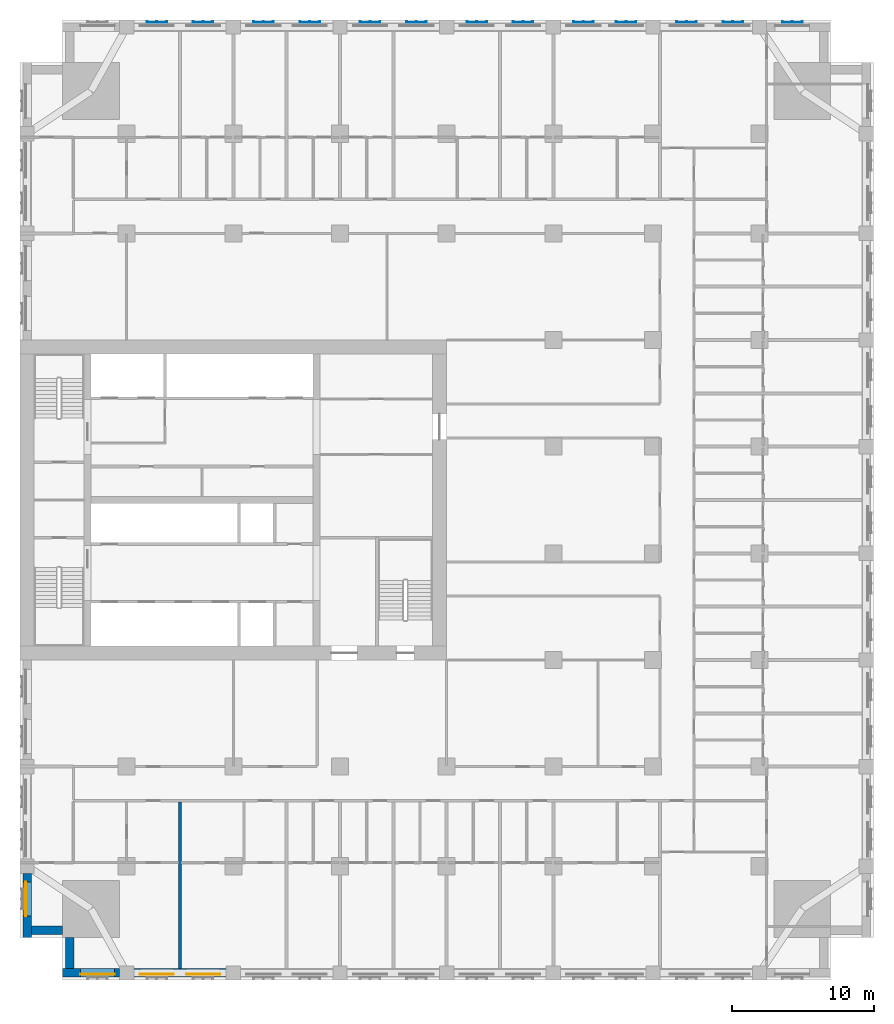
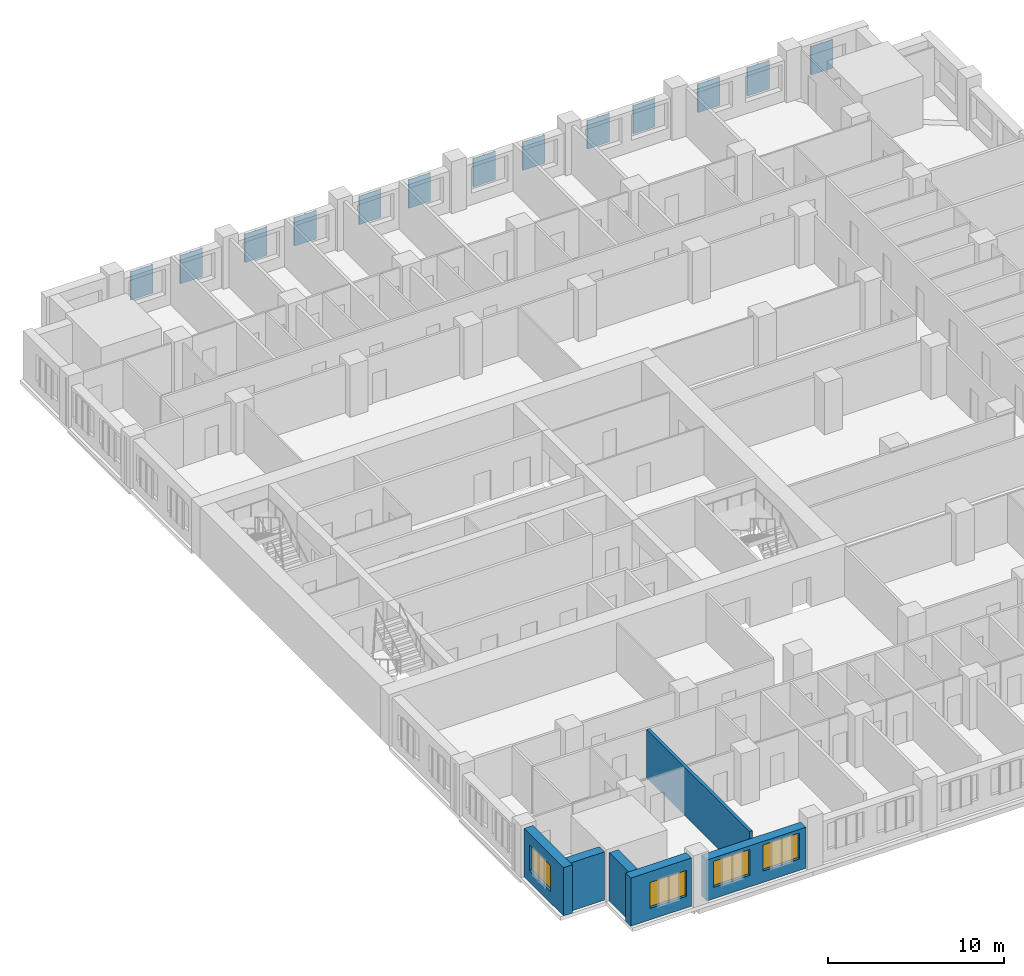
# One storey, part 3 of 15: 13 plates, 6 walls, 4 windows, 4 openings.
"""IFC4 building model written with IfcOpenShell, lengths in metres."""

from ifc_helpers import new_model, si_unit, direction, frame, frame_2d, origin, place, context, subcontext, project, spatial, polyline, rectangle, outline, extrude, material, layer, layer_set, type_object, element, fill, save


model = new_model("IFC4")

# Units and contexts
model_context = context("Model", 3, precision=1e-05, world=origin(), true_north=direction((0.0, 1.0)))
body_context = subcontext(model_context, "Body", "Model", "MODEL_VIEW")
ifc_project = project(units=[si_unit("LENGTHUNIT", "METRE"), si_unit("AREAUNIT", "SQUARE_METRE"), si_unit("VOLUMEUNIT", "CUBIC_METRE"), si_unit("PLANEANGLEUNIT", "RADIAN"), si_unit("MASSUNIT", "GRAM", prefix="KILO")], contexts=[model_context])

# Site, building, storey
site_placement = place(None, origin())
site = spatial("IfcSite", under=ifc_project, at=site_placement, CompositionType="ELEMENT")
building_placement = place(site_placement, origin())
building = spatial("IfcBuilding", under=site, at=building_placement, Name="Tamorin Gate", CompositionType="ELEMENT")
storey_placement = place(building_placement, frame((0.0, 0.0, 48.39990234375)))
storey = spatial("IfcBuildingStorey", under=building, at=storey_placement, Name="L10", CompositionType="ELEMENT", Elevation=48.39990234375)

# Plates
ifc_material_1 = material(Name="Perforated pale aluminium sheet", Category="aluminium")
ifc_layer_1 = layer(ifc_material_1, 0.0400390625)
ifc_layer_set_1 = layer_set([ifc_layer_1], Name="Pale metal solar screen 1440")
plate_type = type_object("IfcPlateType", Name="Pale metal solar screen 1440", PredefinedType="SHEET", material=ifc_layer_set_1)
plate_1_placement = place(storey_placement, frame((0.0, 0.0, 0.710205078125)))
element("IfcPlate", 1, at=plate_1_placement, inside=storey, type_object=plate_type, Name="Perforated solar screen", PredefinedType="SHEET", context=body_context, shape_type="SweptSolid", body=[
    extrude(outline(polyline([(85.02001953125, 104.840087890625), (85.02001953125, 104.800048828125), (84.9599609375, 104.800048828125), (84.330078125, 104.800048828125), (84.27001953125, 104.800048828125), (83.639892578125, 104.800048828125), (83.580078125, 104.800048828125), (83.580078125, 104.840087890625), (83.580078125, 104.89990234375), (83.639892578125, 104.89990234375), (83.639892578125, 104.840087890625), (84.27001953125, 104.840087890625), (84.27001953125, 104.89990234375), (84.330078125, 104.89990234375), (84.330078125, 104.840087890625), (84.9599609375, 104.840087890625), (84.9599609375, 104.89990234375), (85.02001953125, 104.89990234375), (85.02001953125, 104.840087890625)])), origin(), (0.0, 0.0, 1.0), 1.97998046875),
])
plate_2_placement = place(storey_placement, frame((0.0, 0.0, 0.710205078125)))
element("IfcPlate", 2, at=plate_2_placement, inside=storey, type_object=plate_type, Name="Perforated solar screen", PredefinedType="SHEET", context=body_context, shape_type="SweptSolid", body=[
    extrude(outline(polyline([(77.594970703125, 104.840087890625), (77.594970703125, 104.800048828125), (77.534912109375, 104.800048828125), (76.905029296875, 104.800048828125), (76.844970703125, 104.800048828125), (76.215087890625, 104.800048828125), (76.155029296875, 104.800048828125), (76.155029296875, 104.840087890625), (76.155029296875, 104.89990234375), (76.215087890625, 104.89990234375), (76.215087890625, 104.840087890625), (76.844970703125, 104.840087890625), (76.844970703125, 104.89990234375), (76.905029296875, 104.89990234375), (76.905029296875, 104.840087890625), (77.534912109375, 104.840087890625), (77.534912109375, 104.89990234375), (77.594970703125, 104.89990234375), (77.594970703125, 104.840087890625)])), origin(), (0.0, 0.0, 1.0), 1.97998046875),
])
plate_3_placement = place(storey_placement, frame((0.0, 0.0, 0.710205078125)))
element("IfcPlate", 3, at=plate_3_placement, inside=storey, type_object=plate_type, Name="Perforated solar screen", PredefinedType="SHEET", context=body_context, shape_type="SweptSolid", body=[
    extrude(outline(polyline([(80.844970703125, 104.840087890625), (80.844970703125, 104.800048828125), (80.784912109375, 104.800048828125), (80.155029296875, 104.800048828125), (80.094970703125, 104.800048828125), (79.465087890625, 104.800048828125), (79.405029296875, 104.800048828125), (79.405029296875, 104.800048828125), (79.405029296875, 104.840087890625), (79.405029296875, 104.840087890625), (79.405029296875, 104.89990234375), (79.465087890625, 104.89990234375), (79.465087890625, 104.840087890625), (80.094970703125, 104.840087890625), (80.094970703125, 104.89990234375), (80.155029296875, 104.89990234375), (80.155029296875, 104.840087890625), (80.784912109375, 104.840087890625), (80.784912109375, 104.89990234375), (80.844970703125, 104.89990234375), (80.844970703125, 104.840087890625)])), origin(), (0.0, 0.0, 1.0), 1.97998046875),
])
plate_4_placement = place(storey_placement, frame((0.0, 0.0, 0.710205078125)))
element("IfcPlate", 4, at=plate_4_placement, inside=storey, type_object=plate_type, Name="Perforated solar screen", PredefinedType="SHEET", context=body_context, shape_type="SweptSolid", body=[
    extrude(outline(polyline([(70.344970703125, 104.840087890625), (70.344970703125, 104.800048828125), (70.284912109375, 104.800048828125), (69.655029296875, 104.800048828125), (69.594970703125, 104.800048828125), (68.965087890625, 104.800048828125), (68.905029296875, 104.800048828125), (68.905029296875, 104.840087890625), (68.905029296875, 104.89990234375), (68.965087890625, 104.89990234375), (68.965087890625, 104.840087890625), (69.594970703125, 104.840087890625), (69.594970703125, 104.89990234375), (69.655029296875, 104.89990234375), (69.655029296875, 104.840087890625), (70.284912109375, 104.840087890625), (70.284912109375, 104.89990234375), (70.344970703125, 104.89990234375), (70.344970703125, 104.840087890625)])), origin(), (0.0, 0.0, 1.0), 1.97998046875),
])
plate_5_placement = place(storey_placement, frame((0.0, 0.0, 0.710205078125)))
element("IfcPlate", 5, at=plate_5_placement, inside=storey, type_object=plate_type, Name="Perforated solar screen", PredefinedType="SHEET", context=body_context, shape_type="SweptSolid", body=[
    extrude(outline(polyline([(73.344970703125, 104.840087890625), (73.344970703125, 104.800048828125), (73.284912109375, 104.800048828125), (72.655029296875, 104.800048828125), (72.594970703125, 104.800048828125), (71.965087890625, 104.800048828125), (71.905029296875, 104.800048828125), (71.905029296875, 104.840087890625), (71.905029296875, 104.89990234375), (71.965087890625, 104.89990234375), (71.965087890625, 104.840087890625), (72.594970703125, 104.840087890625), (72.594970703125, 104.89990234375), (72.655029296875, 104.89990234375), (72.655029296875, 104.840087890625), (73.284912109375, 104.840087890625), (73.284912109375, 104.89990234375), (73.344970703125, 104.89990234375), (73.344970703125, 104.840087890625)])), origin(), (0.0, 0.0, 1.0), 1.97998046875),
])
plate_6_placement = place(storey_placement, frame((0.0, 0.0, 0.710205078125)))
element("IfcPlate", 6, at=plate_6_placement, inside=storey, type_object=plate_type, Name="Perforated solar screen", PredefinedType="SHEET", context=body_context, shape_type="SweptSolid", body=[
    extrude(outline(polyline([(62.844970703125, 104.840087890625), (62.844970703125, 104.800048828125), (62.784912109375, 104.800048828125), (62.155029296875, 104.800048828125), (62.094970703125, 104.800048828125), (61.465087890625, 104.800048828125), (61.405029296875, 104.800048828125), (61.405029296875, 104.840087890625), (61.405029296875, 104.89990234375), (61.465087890625, 104.89990234375), (61.465087890625, 104.840087890625), (62.094970703125, 104.840087890625), (62.094970703125, 104.89990234375), (62.155029296875, 104.89990234375), (62.155029296875, 104.840087890625), (62.784912109375, 104.840087890625), (62.784912109375, 104.89990234375), (62.844970703125, 104.89990234375), (62.844970703125, 104.840087890625)])), origin(), (0.0, 0.0, 1.0), 1.97998046875),
])
plate_7_placement = place(storey_placement, frame((0.0, 0.0, 0.710205078125)))
element("IfcPlate", 7, at=plate_7_placement, inside=storey, type_object=plate_type, Name="Perforated solar screen", PredefinedType="SHEET", context=body_context, shape_type="SweptSolid", body=[
    extrude(outline(polyline([(66.094970703125, 104.840087890625), (66.094970703125, 104.800048828125), (66.034912109375, 104.800048828125), (65.405029296875, 104.800048828125), (65.344970703125, 104.800048828125), (64.715087890625, 104.800048828125), (64.655029296875, 104.800048828125), (64.655029296875, 104.840087890625), (64.655029296875, 104.89990234375), (64.715087890625, 104.89990234375), (64.715087890625, 104.840087890625), (65.344970703125, 104.840087890625), (65.344970703125, 104.89990234375), (65.405029296875, 104.89990234375), (65.405029296875, 104.840087890625), (66.034912109375, 104.840087890625), (66.034912109375, 104.89990234375), (66.094970703125, 104.89990234375), (66.094970703125, 104.840087890625)])), origin(), (0.0, 0.0, 1.0), 1.97998046875),
])
plate_8_placement = place(storey_placement, frame((0.0, 0.0, 0.710205078125)))
element("IfcPlate", 8, at=plate_8_placement, inside=storey, type_object=plate_type, Name="Perforated solar screen", PredefinedType="SHEET", context=body_context, shape_type="SweptSolid", body=[
    extrude(outline(polyline([(55.344970703125, 104.840087890625), (55.344970703125, 104.800048828125), (55.284912109375, 104.800048828125), (54.655029296875, 104.800048828125), (54.594970703125, 104.800048828125), (53.965087890625, 104.800048828125), (53.905029296875, 104.800048828125), (53.905029296875, 104.840087890625), (53.905029296875, 104.89990234375), (53.965087890625, 104.89990234375), (53.965087890625, 104.840087890625), (54.594970703125, 104.840087890625), (54.594970703125, 104.89990234375), (54.655029296875, 104.89990234375), (54.655029296875, 104.840087890625), (55.284912109375, 104.840087890625), (55.284912109375, 104.89990234375), (55.344970703125, 104.89990234375), (55.344970703125, 104.840087890625)])), origin(), (0.0, 0.0, 1.0), 1.97998046875),
])
plate_9_placement = place(storey_placement, frame((0.0, 0.0, 0.710205078125)))
element("IfcPlate", 9, at=plate_9_placement, inside=storey, type_object=plate_type, Name="Perforated solar screen", PredefinedType="SHEET", context=body_context, shape_type="SweptSolid", body=[
    extrude(outline(polyline([(58.594970703125, 104.840087890625), (58.594970703125, 104.800048828125), (58.534912109375, 104.800048828125), (57.905029296875, 104.800048828125), (57.844970703125, 104.800048828125), (57.215087890625, 104.800048828125), (57.155029296875, 104.800048828125), (57.155029296875, 104.840087890625), (57.155029296875, 104.89990234375), (57.215087890625, 104.89990234375), (57.215087890625, 104.840087890625), (57.844970703125, 104.840087890625), (57.844970703125, 104.89990234375), (57.905029296875, 104.89990234375), (57.905029296875, 104.840087890625), (58.534912109375, 104.840087890625), (58.534912109375, 104.89990234375), (58.594970703125, 104.89990234375), (58.594970703125, 104.840087890625)])), origin(), (0.0, 0.0, 1.0), 1.97998046875),
])
plate_10_placement = place(storey_placement, frame((0.0, 0.0, 0.710205078125)))
element("IfcPlate", 10, at=plate_10_placement, inside=storey, type_object=plate_type, Name="Perforated solar screen", PredefinedType="SHEET", context=body_context, shape_type="SweptSolid", body=[
    extrude(outline(polyline([(47.844970703125, 104.840087890625), (47.844970703125, 104.800048828125), (47.784912109375, 104.800048828125), (47.155029296875, 104.800048828125), (47.094970703125, 104.800048828125), (46.465087890625, 104.800048828125), (46.405029296875, 104.800048828125), (46.405029296875, 104.840087890625), (46.405029296875, 104.89990234375), (46.465087890625, 104.89990234375), (46.465087890625, 104.840087890625), (47.094970703125, 104.840087890625), (47.094970703125, 104.89990234375), (47.155029296875, 104.89990234375), (47.155029296875, 104.840087890625), (47.784912109375, 104.840087890625), (47.784912109375, 104.89990234375), (47.844970703125, 104.89990234375), (47.844970703125, 104.840087890625)])), origin(), (0.0, 0.0, 1.0), 1.97998046875),
])
plate_11_placement = place(storey_placement, frame((0.0, 0.0, 0.710205078125)))
element("IfcPlate", 11, at=plate_11_placement, inside=storey, type_object=plate_type, Name="Perforated solar screen", PredefinedType="SHEET", context=body_context, shape_type="SweptSolid", body=[
    extrude(outline(polyline([(51.094970703125, 104.840087890625), (51.094970703125, 104.800048828125), (51.034912109375, 104.800048828125), (50.405029296875, 104.800048828125), (50.344970703125, 104.800048828125), (49.715087890625, 104.800048828125), (49.655029296875, 104.800048828125), (49.655029296875, 104.840087890625), (49.655029296875, 104.89990234375), (49.715087890625, 104.89990234375), (49.715087890625, 104.840087890625), (50.344970703125, 104.840087890625), (50.344970703125, 104.89990234375), (50.405029296875, 104.89990234375), (50.405029296875, 104.840087890625), (51.034912109375, 104.840087890625), (51.034912109375, 104.89990234375), (51.094970703125, 104.89990234375), (51.094970703125, 104.840087890625)])), origin(), (0.0, 0.0, 1.0), 1.97998046875),
])
plate_12_placement = place(storey_placement, frame((0.0, 0.0, 0.710205078125)))
element("IfcPlate", 12, at=plate_12_placement, inside=storey, type_object=plate_type, Name="Perforated solar screen", PredefinedType="SHEET", context=body_context, shape_type="SweptSolid", body=[
    extrude(outline(polyline([(40.344970703125, 104.840087890625), (40.344970703125, 104.800048828125), (40.284912109375, 104.800048828125), (39.655029296875, 104.800048828125), (39.594970703125, 104.800048828125), (38.965087890625, 104.800048828125), (38.905029296875, 104.800048828125), (38.905029296875, 104.840087890625), (38.905029296875, 104.89990234375), (38.965087890625, 104.89990234375), (38.965087890625, 104.840087890625), (39.594970703125, 104.840087890625), (39.594970703125, 104.89990234375), (39.655029296875, 104.89990234375), (39.655029296875, 104.840087890625), (40.284912109375, 104.840087890625), (40.284912109375, 104.89990234375), (40.344970703125, 104.89990234375), (40.344970703125, 104.840087890625)])), origin(), (0.0, 0.0, 1.0), 1.97998046875),
])
plate_13_placement = place(storey_placement, frame((0.0, 0.0, 0.710205078125)))
element("IfcPlate", 13, at=plate_13_placement, inside=storey, type_object=plate_type, Name="Perforated solar screen", PredefinedType="SHEET", context=body_context, shape_type="SweptSolid", body=[
    extrude(outline(polyline([(43.594970703125, 104.840087890625), (43.594970703125, 104.800048828125), (43.534912109375, 104.800048828125), (42.905029296875, 104.800048828125), (42.844970703125, 104.800048828125), (42.215087890625, 104.800048828125), (42.155029296875, 104.800048828125), (42.155029296875, 104.840087890625), (42.155029296875, 104.89990234375), (42.215087890625, 104.89990234375), (42.215087890625, 104.840087890625), (42.844970703125, 104.840087890625), (42.844970703125, 104.89990234375), (42.905029296875, 104.89990234375), (42.905029296875, 104.840087890625), (43.534912109375, 104.840087890625), (43.534912109375, 104.89990234375), (43.594970703125, 104.89990234375), (43.594970703125, 104.840087890625)])), origin(), (0.0, 0.0, 1.0), 1.97998046875),
])

# Wall, opening, window
ifc_material_2 = material(Name="Precast concrete C40/50", Category="concrete")
ifc_layer_2 = layer(ifc_material_2, 0.60009765625)
ifc_layer_set_2 = layer_set([ifc_layer_2], Name="Precast concrete C40/50")
wall_type_1 = type_object("IfcWallType", Name="Board-marked concrete facade panel 600", PredefinedType="SOLIDWALL", material=ifc_layer_set_2)
wall_1_placement = place(storey_placement, frame((33.0, 38.0, 0.0), z_axis=(0.0, 0.0, 1.0), x_axis=(1.0, 0.0, 0.0)))
wall_1 = element("IfcWall", 14, at=wall_1_placement, inside=storey, type_object=wall_type_1, Name="Facade panel", PredefinedType="SOLIDWALL", context=body_context, shape_type="SweptSolid", body=[
    extrude(rectangle(XDim=4.0, YDim=0.60009765625, at=frame_2d((2.0, 0.0))), origin(), (0.0, 0.0, 1.0), 3.35009765625),
])
opening_1_placement = place(wall_1_placement, frame((1.25, 0.0, 0.800048828125)))
opening_1 = element("IfcOpeningElement", 15, at=opening_1_placement, cuts=wall_1, Name="Opening WN1", PredefinedType="OPENING", context=body_context, shape_type="SweptSolid", body=[
    extrude(rectangle(XDim=2.39990234375, YDim=1.800048828125, at=frame_2d((1.199951171875, 0.89990234375))), frame((0.0, 0.31005859375, 0.0), z_axis=(0.0, -1.0, 0.0), x_axis=(1.0, 0.0, 0.0)), (0.0, 0.0, 1.0), 0.6201171875),
])
ifc_material_3 = material(Name="Clear glass in aluminium frame", Category="aluminium")
window_type = type_object("IfcWindowType", Name="Deep-set window 2400x1800", PartitioningType="SINGLE_PANEL", PredefinedType="WINDOW", material=ifc_material_3)
window_1_placement = place(opening_1_placement, origin())
window_1 = element("IfcWindow", 16, at=window_1_placement, inside=storey, type_object=window_type, Name="Deep-set window", OverallHeight=1.800048828125, OverallWidth=2.39990234375, PartitioningType="SINGLE_PANEL", PredefinedType="WINDOW", context=body_context, shape_type="SweptSolid", body=[
    extrude(rectangle(XDim=2.39990234375, YDim=1.800048828125, at=frame_2d((1.199951171875, 0.89990234375))), frame((0.0, -0.070068359375, 0.0), z_axis=(0.0, -1.0, 0.0), x_axis=(1.0, 0.0, 0.0)), (0.0, 0.0, 1.0), 0.06005859375),
])
fill(opening_1, window_1)

# Wall, openings, windows
wall_2_placement = place(storey_placement, frame((38.0, 38.0, 0.0), z_axis=(0.0, 0.0, 1.0), x_axis=(1.0, 0.0, 0.0)))
wall_2 = element("IfcWall", 17, at=wall_2_placement, inside=storey, type_object=wall_type_1, Name="Facade panel", PredefinedType="SOLIDWALL", context=body_context, shape_type="SweptSolid", body=[
    extrude(rectangle(XDim=6.5, YDim=0.60009765625, at=frame_2d((3.25, 0.0))), origin(), (0.0, 0.0, 1.0), 2.85009765625),
])
opening_2_placement = place(wall_2_placement, frame((0.425048828125, 0.0, 0.800048828125)))
opening_2 = element("IfcOpeningElement", 18, at=opening_2_placement, cuts=wall_2, Name="Opening WN1", PredefinedType="OPENING", context=body_context, shape_type="SweptSolid", body=[
    extrude(rectangle(XDim=2.39990234375, YDim=1.800048828125, at=frame_2d((1.199951171875, 0.89990234375))), frame((0.0, 0.31005859375, 0.0), z_axis=(0.0, -1.0, 0.0), x_axis=(1.0, 0.0, 0.0)), (0.0, 0.0, 1.0), 0.6201171875),
])
opening_3_placement = place(wall_2_placement, frame((3.675048828125, 0.0, 0.800048828125)))
opening_3 = element("IfcOpeningElement", 19, at=opening_3_placement, cuts=wall_2, Name="Opening WN1", PredefinedType="OPENING", context=body_context, shape_type="SweptSolid", body=[
    extrude(rectangle(XDim=2.39990234375, YDim=1.800048828125, at=frame_2d((1.199951171875, 0.89990234375))), frame((0.0, 0.31005859375, 0.0), z_axis=(0.0, -1.0, 0.0), x_axis=(1.0, 0.0, 0.0)), (0.0, 0.0, 1.0), 0.6201171875),
])
window_2_placement = place(opening_2_placement, origin())
window_2 = element("IfcWindow", 20, at=window_2_placement, inside=storey, type_object=window_type, Name="Deep-set window", OverallHeight=1.800048828125, OverallWidth=2.39990234375, PartitioningType="SINGLE_PANEL", PredefinedType="WINDOW", context=body_context, shape_type="SweptSolid", body=[
    extrude(rectangle(XDim=2.39990234375, YDim=1.800048828125, at=frame_2d((1.199951171875, 0.89990234375))), frame((0.0, -0.070068359375, 0.0), z_axis=(0.0, -1.0, 0.0), x_axis=(1.0, 0.0, 0.0)), (0.0, 0.0, 1.0), 0.06005859375),
])
fill(opening_2, window_2)
window_3_placement = place(opening_3_placement, origin())
window_3 = element("IfcWindow", 21, at=window_3_placement, inside=storey, type_object=window_type, Name="Deep-set window", OverallHeight=1.800048828125, OverallWidth=2.39990234375, PartitioningType="SINGLE_PANEL", PredefinedType="WINDOW", context=body_context, shape_type="SweptSolid", body=[
    extrude(rectangle(XDim=2.39990234375, YDim=1.800048828125, at=frame_2d((1.199951171875, 0.89990234375))), frame((0.0, -0.070068359375, 0.0), z_axis=(0.0, -1.0, 0.0), x_axis=(1.0, 0.0, 0.0)), (0.0, 0.0, 1.0), 0.06005859375),
])
fill(opening_3, window_3)

# Wall, opening, window
wall_3_placement = place(storey_placement, frame((30.5, 45.0, 0.0), z_axis=(0.0, 0.0, 1.0), x_axis=(0.0, -1.0, 0.0)))
wall_3 = element("IfcWall", 22, at=wall_3_placement, inside=storey, type_object=wall_type_1, Name="Facade panel", PredefinedType="SOLIDWALL", context=body_context, shape_type="SweptSolid", body=[
    extrude(rectangle(XDim=4.5, YDim=0.60009765625, at=frame_2d((2.25, 0.0))), origin(), (0.0, 0.0, 1.0), 3.35009765625),
])
opening_4_placement = place(wall_3_placement, frame((0.60009765625, 0.0, 0.800048828125)))
opening_4 = element("IfcOpeningElement", 23, at=opening_4_placement, cuts=wall_3, Name="Opening WN1", PredefinedType="OPENING", context=body_context, shape_type="SweptSolid", body=[
    extrude(rectangle(XDim=2.39990234375, YDim=1.800048828125, at=frame_2d((1.199951171875, 0.89990234375))), frame((0.0, 0.31005859375, 0.0), z_axis=(0.0, -1.0, 0.0), x_axis=(1.0, 0.0, 0.0)), (0.0, 0.0, 1.0), 0.6201171875),
])
window_4_placement = place(opening_4_placement, origin())
window_4 = element("IfcWindow", 24, at=window_4_placement, inside=storey, type_object=window_type, Name="Deep-set window", OverallHeight=1.800048828125, OverallWidth=2.39990234375, PartitioningType="SINGLE_PANEL", PredefinedType="WINDOW", context=body_context, shape_type="SweptSolid", body=[
    extrude(rectangle(XDim=2.39990234375, YDim=1.800048828125, at=frame_2d((1.199951171875, 0.89990234375))), frame((0.0, -0.070068359375, 0.0), z_axis=(0.0, -1.0, 0.0), x_axis=(1.0, 0.0, 0.0)), (0.0, 0.0, 1.0), 0.06005859375),
])
fill(opening_4, window_4)

# Walls
for number, where, z_axis, x_axis, name in (
    (25, (30.800048828125, 41.0, 0.0), (0.0, 0.0, 1.0), (1.0, 0.0, 0.0), "Facade panel"),
    (26, (33.5, 40.5, 0.0), (0.0, 0.0, 1.0), (0.0, -1.0, 0.0), "Facade panel"),
):
    element("IfcWall", number, at=place(storey_placement, frame(where, z_axis=z_axis, x_axis=x_axis)), inside=storey, type_object=wall_type_1, Name=name, PredefinedType="SOLIDWALL", context=body_context, shape_type="SweptSolid", body=[
        extrude(rectangle(XDim=2.199951171875, YDim=0.60009765625, at=frame_2d((1.10009765625, 0.0))), origin(), (0.0, 0.0, 1.0), 3.35009765625),
    ])
ifc_material_4 = material(Name="Gypsum board partition")
ifc_layer_3 = layer(ifc_material_4, 0.199951171875)
ifc_layer_set_3 = layer_set([ifc_layer_3], Name="Demising wall 200")
wall_type_2 = type_object("IfcWallType", Name="Demising wall 200", PredefinedType="PARTITIONING", material=ifc_layer_set_3)
wall_4_placement = place(storey_placement, frame((41.25, 38.31005859375, 0.0), z_axis=(0.0, 0.0, 1.0), x_axis=(0.0, 1.0, 0.0)))
element("IfcWall", 27, at=wall_4_placement, inside=storey, type_object=wall_type_2, Name="Demising wall 200", PredefinedType="PARTITIONING", context=body_context, shape_type="SweptSolid", body=[
    extrude(rectangle(XDim=11.71484375, YDim=0.199951171875, at=frame_2d((5.857421875, 0.0))), origin(), (0.0, 0.0, 1.0), 3.35009765625),
])

save(model, "model.ifc")
